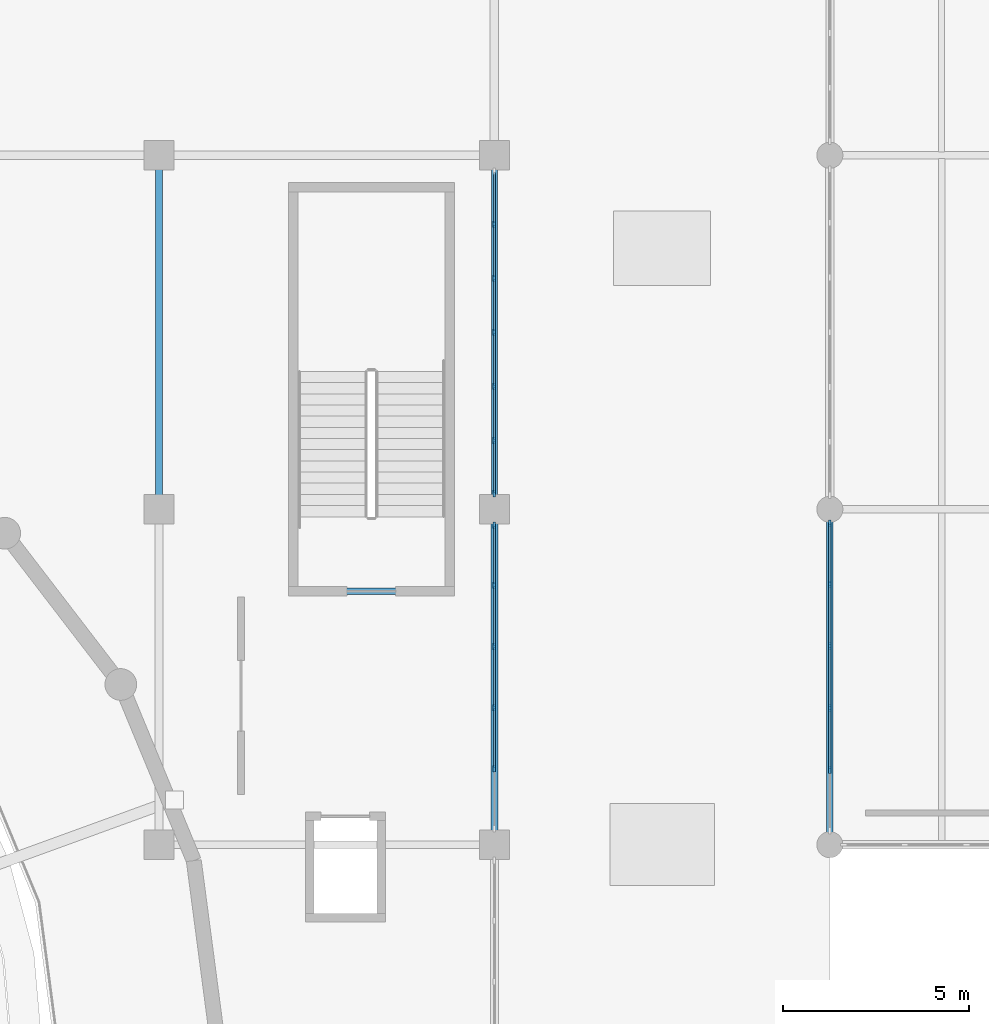
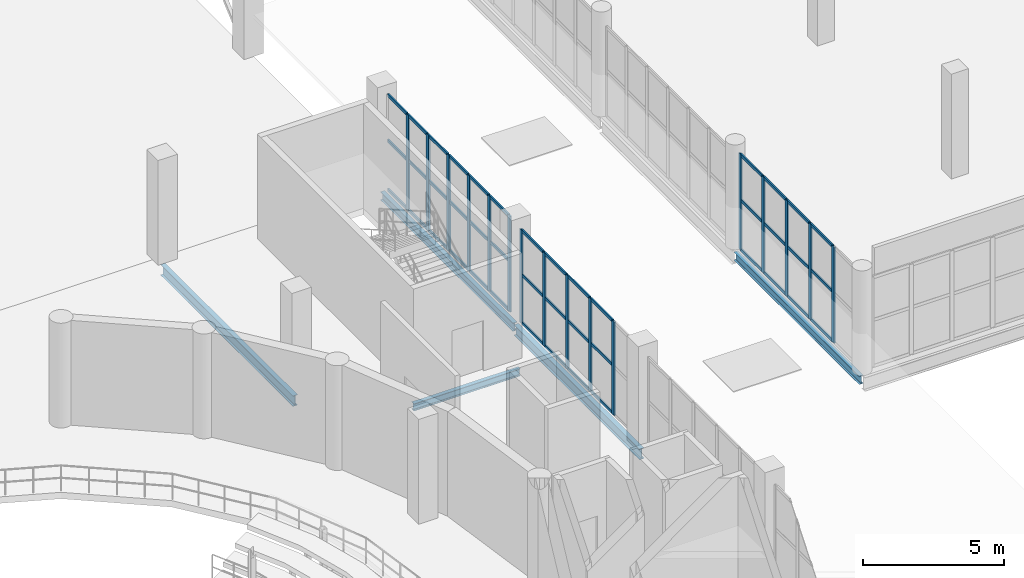
# One storey, part 45 of 93: 58 members, 5 beams, 3 elements without a shape of their own.
"""IFC4 building model written with IfcOpenShell, lengths in metres."""

from ifc_helpers import new_model, si_unit, direction, frame, origin, origin_2d, place, context, subcontext, project, spatial, rectangle, i_section, extrude, material, layer, layer_set, material_profile, profile_set, type_object, element, aggregate, save


model = new_model("IFC4")

# Units and contexts
model_context = context("Model", 3, precision=1e-05, world=origin(), true_north=direction((0.0, 1.0)))
body_context = subcontext(model_context, "Body", "Model", "MODEL_VIEW")
ifc_project = project(units=[si_unit("LENGTHUNIT", "METRE"), si_unit("AREAUNIT", "SQUARE_METRE"), si_unit("VOLUMEUNIT", "CUBIC_METRE"), si_unit("PLANEANGLEUNIT", "RADIAN"), si_unit("MASSUNIT", "GRAM", prefix="KILO")], contexts=[model_context])

# Site, building, storey
site_placement = place(None, origin())
site = spatial("IfcSite", under=ifc_project, at=site_placement, CompositionType="ELEMENT")
building_placement = place(site_placement, origin())
building = spatial("IfcBuilding", under=site, at=building_placement, Name="Marnock Terrace Opera House", CompositionType="ELEMENT")
storey_placement = place(building_placement, frame((0.0, 0.0, 5.39990234375)))
storey = spatial("IfcBuildingStorey", under=building, at=storey_placement, Name="L01", CompositionType="ELEMENT", Elevation=5.39990234375)

# Beams
ifc_material_1 = material(Name="Steel Grade 350 (AS/NZS 3679.1)", Category="steel")
ifc_material_profile_1 = material_profile(ifc_material_1, i_section(OverallWidth=0.1708984375, OverallDepth=0.355712890625, WebThickness=0.00732421875, FlangeThickness=0.011474609375, FilletRadius=0.011474609375, at=origin_2d()))
ifc_profile_set_1 = profile_set([ifc_material_profile_1], Name="Steel Grade 350 (AS/NZS 3679.1)")
beam_type_1 = type_object("IfcBeamType", Name="BM-GIRD-360", PredefinedType="BEAM", material=ifc_profile_set_1)
beam_1_placement = place(storey_placement, frame((109.0, 75.050048828125, -0.457763671875), z_axis=(0.0, 1.0, 0.0), x_axis=(-1.0, 0.0, 0.0)))
element("IfcBeam", 1, at=beam_1_placement, inside=storey, type_object=beam_type_1, Name="L01 girder (X=109.0, 75.0..84.5)", PredefinedType="BEAM", context=body_context, shape_type="SweptSolid", body=[
    extrude(i_section(OverallWidth=0.1708984375, OverallDepth=0.355712890625, WebThickness=0.00732421875, FlangeThickness=0.011474609375, FilletRadius=0.011474609375, at=origin_2d()), origin(), (0.0, 0.0, 1.0), 9.39990234375),
])
beam_2_placement = place(storey_placement, frame((118.0, 66.050048828125, -0.457763671875), z_axis=(0.0, 1.0, 0.0), x_axis=(-1.0, 0.0, 0.0)))
element("IfcBeam", 2, at=beam_2_placement, inside=storey, type_object=beam_type_1, Name="L01 girder (X=118.0, 66.0..75.0)", PredefinedType="BEAM", context=body_context, shape_type="SweptSolid", body=[
    extrude(i_section(OverallWidth=0.1708984375, OverallDepth=0.355712890625, WebThickness=0.00732421875, FlangeThickness=0.011474609375, FilletRadius=0.011474609375, at=origin_2d()), origin(), (0.0, 0.0, 1.0), 8.89990234375),
])
ifc_material_profile_2 = material_profile(ifc_material_1, i_section(OverallWidth=0.18994140625, OverallDepth=0.45751953125, WebThickness=0.009033203125, FlangeThickness=0.014404296875, FilletRadius=0.011474609375, at=origin_2d()))
ifc_profile_set_2 = profile_set([ifc_material_profile_2], Name="Steel Grade 350 (AS/NZS 3679.1)")
beam_type_2 = type_object("IfcBeamType", Name="BM-GIRD-460B", PredefinedType="BEAM", material=ifc_profile_set_2)
beam_3_placement = place(storey_placement, frame((100.0, 75.050048828125, -0.508544921875), z_axis=(0.0, 1.0, 0.0), x_axis=(-1.0, 0.0, 0.0)))
element("IfcBeam", 3, at=beam_3_placement, inside=storey, type_object=beam_type_2, Name="L01 girder (X=100.0, 75.0..84.5)", PredefinedType="BEAM", context=body_context, shape_type="SweptSolid", body=[
    extrude(i_section(OverallWidth=0.18994140625, OverallDepth=0.45751953125, WebThickness=0.009033203125, FlangeThickness=0.014404296875, FilletRadius=0.011474609375, at=origin_2d()), origin(), (0.0, 0.0, 1.0), 9.39990234375),
])
beam_4_placement = place(storey_placement, frame((109.0, 66.050048828125, -0.508544921875), z_axis=(0.0, 1.0, 0.0), x_axis=(-1.0, 0.0, 0.0)))
element("IfcBeam", 4, at=beam_4_placement, inside=storey, type_object=beam_type_2, Name="L01 girder (X=109.0, 66.0..75.0)", PredefinedType="BEAM", context=body_context, shape_type="SweptSolid", body=[
    extrude(i_section(OverallWidth=0.18994140625, OverallDepth=0.45751953125, WebThickness=0.009033203125, FlangeThickness=0.014404296875, FilletRadius=0.011474609375, at=origin_2d()), origin(), (0.0, 0.0, 1.0), 8.89990234375),
])
ifc_material_profile_3 = material_profile(ifc_material_1, i_section(OverallWidth=0.166015625, OverallDepth=0.30712890625, WebThickness=0.006591796875, FlangeThickness=0.01171875, FilletRadius=0.011474609375, at=origin_2d()))
ifc_profile_set_3 = profile_set([ifc_material_profile_3], Name="Steel Grade 350 (AS/NZS 3679.1)")
beam_type_3 = type_object("IfcBeamType", Name="BM-LINT-310", PredefinedType="LINTEL", material=ifc_profile_set_3)
beam_5_placement = place(storey_placement, frame((103.52001953125, 72.800048828125, -0.6298828125), z_axis=(1.0, 0.0, 0.0), x_axis=(0.0, 1.0, 0.0)))
element("IfcBeam", 5, at=beam_5_placement, inside=storey, type_object=beam_type_3, Name="L00 Core C4 coupling lintel", PredefinedType="LINTEL", context=body_context, shape_type="SweptSolid", body=[
    extrude(i_section(OverallWidth=0.166015625, OverallDepth=0.30712890625, WebThickness=0.006591796875, FlangeThickness=0.01171875, FilletRadius=0.011474609375, at=origin_2d()), origin(), (0.0, 0.0, 1.0), 4.35986328125),
])

# Curtain wall, members
ifc_material_2 = material(Name="Anodised architectural bronze aluminium framing", Category="aluminium")
ifc_layer_1 = layer(ifc_material_2, 0.159912109375)
ifc_layer_set_1 = layer_set([ifc_layer_1], Name="Anodised architectural bronze aluminium framing")
curtain_wall_type_1 = type_object("IfcCurtainWallType", Name="CW-FOYER-90x45", PredefinedType="NOTDEFINED", material=ifc_layer_set_1)
curtain_wall_1_placement = place(storey_placement, origin())
curtain_wall_1 = element("IfcCurtainWall", 6, at=curtain_wall_1_placement, inside=storey, type_object=curtain_wall_type_1, Name="L01 glazed Beaux-Arts colonnade curtain wall CW-V1E-L01-08", PredefinedType="NOTDEFINED")
ifc_material_profile_4 = material_profile(ifc_material_2, rectangle(XDim=0.06494140625, YDim=0.179931640625, at=origin_2d()))
ifc_profile_set_4 = profile_set([ifc_material_profile_4], Name="Anodised architectural bronze aluminium framing")
member_type_1 = type_object("IfcMemberType", Name="CWM-65x180", PredefinedType="MULLION", material=ifc_profile_set_4)
member_1_placement = place(storey_placement, frame((109.0, 68.03759765625, 0.0), z_axis=(0.0, 0.0, 1.0), x_axis=(-1.0, 0.0, 0.0)))
member_1 = element("IfcMember", 7, at=member_1_placement, type_object=member_type_1, Name="CW-27 mullion 2", PredefinedType="MULLION", context=body_context, shape_type="SweptSolid", body=[
    extrude(rectangle(XDim=0.06494140625, YDim=0.179931640625, at=origin_2d()), origin(), (0.0, 0.0, 1.0), 4.052734375),
])
member_2_placement = place(storey_placement, frame((109.0, 69.67919921875, 0.0), z_axis=(0.0, 0.0, 1.0), x_axis=(-1.0, 0.0, 0.0)))
member_2 = element("IfcMember", 8, at=member_2_placement, type_object=member_type_1, Name="CW-27 mullion 3", PredefinedType="MULLION", context=body_context, shape_type="SweptSolid", body=[
    extrude(rectangle(XDim=0.06494140625, YDim=0.179931640625, at=origin_2d()), origin(), (0.0, 0.0, 1.0), 4.052734375),
])
member_3_placement = place(storey_placement, frame((109.0, 71.32080078125, 0.0), z_axis=(0.0, 0.0, 1.0), x_axis=(-1.0, 0.0, 0.0)))
member_3 = element("IfcMember", 9, at=member_3_placement, type_object=member_type_1, Name="CW-27 mullion 4", PredefinedType="MULLION", context=body_context, shape_type="SweptSolid", body=[
    extrude(rectangle(XDim=0.06494140625, YDim=0.179931640625, at=origin_2d()), origin(), (0.0, 0.0, 1.0), 4.052734375),
])
member_4_placement = place(storey_placement, frame((109.0, 72.96240234375, 0.0), z_axis=(0.0, 0.0, 1.0), x_axis=(-1.0, 0.0, 0.0)))
member_4 = element("IfcMember", 10, at=member_4_placement, type_object=member_type_1, Name="CW-27 mullion 5", PredefinedType="MULLION", context=body_context, shape_type="SweptSolid", body=[
    extrude(rectangle(XDim=0.06494140625, YDim=0.179931640625, at=origin_2d()), origin(), (0.0, 0.0, 1.0), 4.052734375),
])
member_5_placement = place(storey_placement, frame((109.0, 74.573974609375, 0.0), z_axis=(0.0, 0.0, 1.0), x_axis=(-1.0, 0.0, 0.0)))
member_5 = element("IfcMember", 11, at=member_5_placement, type_object=member_type_1, Name="CW-27 mullion 6", PredefinedType="MULLION", context=body_context, shape_type="SweptSolid", body=[
    extrude(rectangle(XDim=0.06494140625, YDim=0.179931640625, at=origin_2d()), origin(), (0.0, 0.0, 1.0), 4.052734375),
])

curtain_wall_2_placement = place(storey_placement, origin())
curtain_wall_2 = element("IfcCurtainWall", 12, at=curtain_wall_2_placement, inside=storey, type_object=curtain_wall_type_1, Name="L01 glazed Beaux-Arts colonnade curtain wall CW-V1E-L01-09", PredefinedType="NOTDEFINED")
member_6_placement = place(storey_placement, frame((109.0, 75.426025390625, 0.0), z_axis=(0.0, 0.0, 1.0), x_axis=(-1.0, 0.0, 0.0)))
member_6 = element("IfcMember", 13, at=member_6_placement, type_object=member_type_1, Name="CW-27 mullion 1", PredefinedType="MULLION", context=body_context, shape_type="SweptSolid", body=[
    extrude(rectangle(XDim=0.06494140625, YDim=0.179931640625, at=origin_2d()), origin(), (0.0, 0.0, 1.0), 4.154541015625),
])
member_7_placement = place(storey_placement, frame((109.0, 76.847412109375, 0.0), z_axis=(0.0, 0.0, 1.0), x_axis=(-1.0, 0.0, 0.0)))
member_7 = element("IfcMember", 14, at=member_7_placement, type_object=member_type_1, Name="CW-27 mullion 2", PredefinedType="MULLION", context=body_context, shape_type="SweptSolid", body=[
    extrude(rectangle(XDim=0.06494140625, YDim=0.179931640625, at=origin_2d()), origin(), (0.0, 0.0, 1.0), 4.154541015625),
])
member_8_placement = place(storey_placement, frame((109.0, 78.298583984375, 0.0), z_axis=(0.0, 0.0, 1.0), x_axis=(-1.0, 0.0, 0.0)))
member_8 = element("IfcMember", 15, at=member_8_placement, type_object=member_type_1, Name="CW-27 mullion 3", PredefinedType="MULLION", context=body_context, shape_type="SweptSolid", body=[
    extrude(rectangle(XDim=0.06494140625, YDim=0.179931640625, at=origin_2d()), origin(), (0.0, 0.0, 1.0), 4.154541015625),
])
member_9_placement = place(storey_placement, frame((109.0, 79.75, 0.0), z_axis=(0.0, 0.0, 1.0), x_axis=(-1.0, 0.0, 0.0)))
member_9 = element("IfcMember", 16, at=member_9_placement, type_object=member_type_1, Name="CW-27 mullion 4", PredefinedType="MULLION", context=body_context, shape_type="SweptSolid", body=[
    extrude(rectangle(XDim=0.06494140625, YDim=0.179931640625, at=origin_2d()), origin(), (0.0, 0.0, 1.0), 4.154541015625),
])
member_10_placement = place(storey_placement, frame((109.0, 81.201416015625, 0.0), z_axis=(0.0, 0.0, 1.0), x_axis=(-1.0, 0.0, 0.0)))
member_10 = element("IfcMember", 17, at=member_10_placement, type_object=member_type_1, Name="CW-27 mullion 5", PredefinedType="MULLION", context=body_context, shape_type="SweptSolid", body=[
    extrude(rectangle(XDim=0.06494140625, YDim=0.179931640625, at=origin_2d()), origin(), (0.0, 0.0, 1.0), 4.154541015625),
])
member_11_placement = place(storey_placement, frame((109.0, 82.652587890625, 0.0), z_axis=(0.0, 0.0, 1.0), x_axis=(-1.0, 0.0, 0.0)))
member_11 = element("IfcMember", 18, at=member_11_placement, type_object=member_type_1, Name="CW-27 mullion 6", PredefinedType="MULLION", context=body_context, shape_type="SweptSolid", body=[
    extrude(rectangle(XDim=0.06494140625, YDim=0.179931640625, at=origin_2d()), origin(), (0.0, 0.0, 1.0), 4.154541015625),
])

ifc_layer_2 = layer(ifc_material_2, 0.159912109375)
ifc_layer_set_2 = layer_set([ifc_layer_2], Name="Anodised architectural bronze aluminium framing")
curtain_wall_type_2 = type_object("IfcCurtainWallType", Name="CW-LOGGIA-86x45", PredefinedType="NOTDEFINED", material=ifc_layer_set_2)
curtain_wall_3_placement = place(storey_placement, origin())
curtain_wall_3 = element("IfcCurtainWall", 19, at=curtain_wall_3_placement, inside=storey, type_object=curtain_wall_type_2, Name="L01 glazed Beaux-Arts colonnade curtain wall CW-V5-L01-W5", PredefinedType="NOTDEFINED")
member_12_placement = place(storey_placement, frame((118.0, 68.007568359375, 0.0), z_axis=(0.0, 0.0, 1.0), x_axis=(-1.0, 0.0, 0.0)))
member_12 = element("IfcMember", 20, at=member_12_placement, type_object=member_type_1, Name="CW-61 mullion 2", PredefinedType="MULLION", context=body_context, shape_type="SweptSolid", body=[
    extrude(rectangle(XDim=0.06494140625, YDim=0.179931640625, at=origin_2d()), origin(), (0.0, 0.0, 1.0), 4.154541015625),
])
member_13_placement = place(storey_placement, frame((118.0, 69.669189453125, 0.0), z_axis=(0.0, 0.0, 1.0), x_axis=(-1.0, 0.0, 0.0)))
member_13 = element("IfcMember", 21, at=member_13_placement, type_object=member_type_1, Name="CW-61 mullion 3", PredefinedType="MULLION", context=body_context, shape_type="SweptSolid", body=[
    extrude(rectangle(XDim=0.06494140625, YDim=0.179931640625, at=origin_2d()), origin(), (0.0, 0.0, 1.0), 4.154541015625),
])
member_14_placement = place(storey_placement, frame((118.0, 71.330810546875, 0.0), z_axis=(0.0, 0.0, 1.0), x_axis=(-1.0, 0.0, 0.0)))
member_14 = element("IfcMember", 22, at=member_14_placement, type_object=member_type_1, Name="CW-61 mullion 4", PredefinedType="MULLION", context=body_context, shape_type="SweptSolid", body=[
    extrude(rectangle(XDim=0.06494140625, YDim=0.179931640625, at=origin_2d()), origin(), (0.0, 0.0, 1.0), 4.154541015625),
])
member_15_placement = place(storey_placement, frame((118.0, 72.992431640625, 0.0), z_axis=(0.0, 0.0, 1.0), x_axis=(-1.0, 0.0, 0.0)))
member_15 = element("IfcMember", 23, at=member_15_placement, type_object=member_type_1, Name="CW-61 mullion 5", PredefinedType="MULLION", context=body_context, shape_type="SweptSolid", body=[
    extrude(rectangle(XDim=0.06494140625, YDim=0.179931640625, at=origin_2d()), origin(), (0.0, 0.0, 1.0), 4.154541015625),
])
member_16_placement = place(storey_placement, frame((118.0, 74.6240234375, 0.0), z_axis=(0.0, 0.0, 1.0), x_axis=(-1.0, 0.0, 0.0)))
member_16 = element("IfcMember", 24, at=member_16_placement, type_object=member_type_1, Name="CW-61 mullion 6", PredefinedType="MULLION", context=body_context, shape_type="SweptSolid", body=[
    extrude(rectangle(XDim=0.06494140625, YDim=0.179931640625, at=origin_2d()), origin(), (0.0, 0.0, 1.0), 4.154541015625),
])

# Member
ifc_material_profile_5 = material_profile(ifc_material_2, rectangle(XDim=0.06005859375, YDim=0.1298828125, at=origin_2d()))
ifc_profile_set_5 = profile_set([ifc_material_profile_5], Name="Anodised architectural bronze aluminium framing")
member_type_2 = type_object("IfcMemberType", Name="CWT-60x130", PredefinedType="USERDEFINED", material=ifc_profile_set_5)
member_17_placement = place(storey_placement, frame((109.0, 68.067626953125, 0.030029296875), z_axis=(0.0, 1.0, 0.0), x_axis=(-1.0, 0.0, 0.0)))
member_17 = element("IfcMember", 25, at=member_17_placement, type_object=member_type_2, Name="CW-27 transom 2.1", ObjectType="TRANSOM", PredefinedType="USERDEFINED", context=body_context, shape_type="SweptSolid", body=[
    extrude(rectangle(XDim=0.06005859375, YDim=0.1298828125, at=origin_2d()), origin(), (0.0, 0.0, 1.0), 1.58154296875),
])

member_18_placement = place(storey_placement, frame((109.0, 68.067626953125, 2.107421875), z_axis=(0.0, 1.0, 0.0), x_axis=(-1.0, 0.0, 0.0)))
member_18 = element("IfcMember", 26, at=member_18_placement, type_object=member_type_2, Name="CW-27 transom 2.2", ObjectType="TRANSOM", PredefinedType="USERDEFINED", context=body_context, shape_type="SweptSolid", body=[
    extrude(rectangle(XDim=0.06005859375, YDim=0.1298828125, at=origin_2d()), origin(), (0.0, 0.0, 1.0), 1.58154296875),
])

member_19_placement = place(storey_placement, frame((109.0, 68.067626953125, 4.022705078125), z_axis=(0.0, 1.0, 0.0), x_axis=(-1.0, 0.0, 0.0)))
member_19 = element("IfcMember", 27, at=member_19_placement, type_object=member_type_2, Name="CW-27 transom 2.3", ObjectType="TRANSOM", PredefinedType="USERDEFINED", context=body_context, shape_type="SweptSolid", body=[
    extrude(rectangle(XDim=0.06005859375, YDim=0.1298828125, at=origin_2d()), origin(), (0.0, 0.0, 1.0), 1.58154296875),
])

member_20_placement = place(storey_placement, frame((109.0, 69.709228515625, 0.030029296875), z_axis=(0.0, 1.0, 0.0), x_axis=(-1.0, 0.0, 0.0)))
member_20 = element("IfcMember", 28, at=member_20_placement, type_object=member_type_2, Name="CW-27 transom 3.1", ObjectType="TRANSOM", PredefinedType="USERDEFINED", context=body_context, shape_type="SweptSolid", body=[
    extrude(rectangle(XDim=0.06005859375, YDim=0.1298828125, at=origin_2d()), origin(), (0.0, 0.0, 1.0), 1.58154296875),
])

member_21_placement = place(storey_placement, frame((109.0, 69.709228515625, 2.107421875), z_axis=(0.0, 1.0, 0.0), x_axis=(-1.0, 0.0, 0.0)))
member_21 = element("IfcMember", 29, at=member_21_placement, type_object=member_type_2, Name="CW-27 transom 3.2", ObjectType="TRANSOM", PredefinedType="USERDEFINED", context=body_context, shape_type="SweptSolid", body=[
    extrude(rectangle(XDim=0.06005859375, YDim=0.1298828125, at=origin_2d()), origin(), (0.0, 0.0, 1.0), 1.58154296875),
])

member_22_placement = place(storey_placement, frame((109.0, 69.709228515625, 4.022705078125), z_axis=(0.0, 1.0, 0.0), x_axis=(-1.0, 0.0, 0.0)))
member_22 = element("IfcMember", 30, at=member_22_placement, type_object=member_type_2, Name="CW-27 transom 3.3", ObjectType="TRANSOM", PredefinedType="USERDEFINED", context=body_context, shape_type="SweptSolid", body=[
    extrude(rectangle(XDim=0.06005859375, YDim=0.1298828125, at=origin_2d()), origin(), (0.0, 0.0, 1.0), 1.58154296875),
])

member_23_placement = place(storey_placement, frame((109.0, 71.350830078125, 0.030029296875), z_axis=(0.0, 1.0, 0.0), x_axis=(-1.0, 0.0, 0.0)))
member_23 = element("IfcMember", 31, at=member_23_placement, type_object=member_type_2, Name="CW-27 transom 4.1", ObjectType="TRANSOM", PredefinedType="USERDEFINED", context=body_context, shape_type="SweptSolid", body=[
    extrude(rectangle(XDim=0.06005859375, YDim=0.1298828125, at=origin_2d()), origin(), (0.0, 0.0, 1.0), 1.58154296875),
])

member_24_placement = place(storey_placement, frame((109.0, 71.350830078125, 2.107421875), z_axis=(0.0, 1.0, 0.0), x_axis=(-1.0, 0.0, 0.0)))
member_24 = element("IfcMember", 32, at=member_24_placement, type_object=member_type_2, Name="CW-27 transom 4.2", ObjectType="TRANSOM", PredefinedType="USERDEFINED", context=body_context, shape_type="SweptSolid", body=[
    extrude(rectangle(XDim=0.06005859375, YDim=0.1298828125, at=origin_2d()), origin(), (0.0, 0.0, 1.0), 1.58154296875),
])

member_25_placement = place(storey_placement, frame((109.0, 71.350830078125, 4.022705078125), z_axis=(0.0, 1.0, 0.0), x_axis=(-1.0, 0.0, 0.0)))
member_25 = element("IfcMember", 33, at=member_25_placement, type_object=member_type_2, Name="CW-27 transom 4.3", ObjectType="TRANSOM", PredefinedType="USERDEFINED", context=body_context, shape_type="SweptSolid", body=[
    extrude(rectangle(XDim=0.06005859375, YDim=0.1298828125, at=origin_2d()), origin(), (0.0, 0.0, 1.0), 1.58154296875),
])

member_26_placement = place(storey_placement, frame((109.0, 72.992431640625, 0.030029296875), z_axis=(0.0, 1.0, 0.0), x_axis=(-1.0, 0.0, 0.0)))
member_26 = element("IfcMember", 34, at=member_26_placement, type_object=member_type_2, Name="CW-27 transom 5.1", ObjectType="TRANSOM", PredefinedType="USERDEFINED", context=body_context, shape_type="SweptSolid", body=[
    extrude(rectangle(XDim=0.06005859375, YDim=0.1298828125, at=origin_2d()), origin(), (0.0, 0.0, 1.0), 1.551513671875),
])

member_27_placement = place(storey_placement, frame((109.0, 72.992431640625, 2.107421875), z_axis=(0.0, 1.0, 0.0), x_axis=(-1.0, 0.0, 0.0)))
member_27 = element("IfcMember", 35, at=member_27_placement, type_object=member_type_2, Name="CW-27 transom 5.2", ObjectType="TRANSOM", PredefinedType="USERDEFINED", context=body_context, shape_type="SweptSolid", body=[
    extrude(rectangle(XDim=0.06005859375, YDim=0.1298828125, at=origin_2d()), origin(), (0.0, 0.0, 1.0), 1.551513671875),
])

member_28_placement = place(storey_placement, frame((109.0, 72.992431640625, 4.022705078125), z_axis=(0.0, 1.0, 0.0), x_axis=(-1.0, 0.0, 0.0)))
member_28 = element("IfcMember", 36, at=member_28_placement, type_object=member_type_2, Name="CW-27 transom 5.3", ObjectType="TRANSOM", PredefinedType="USERDEFINED", context=body_context, shape_type="SweptSolid", body=[
    extrude(rectangle(XDim=0.06005859375, YDim=0.1298828125, at=origin_2d()), origin(), (0.0, 0.0, 1.0), 1.551513671875),
])

aggregate(curtain_wall_1, [member_1, member_2, member_3, member_4, member_5, member_17, member_18, member_19, member_20, member_21, member_22, member_23, member_24, member_25, member_26, member_27, member_28])

member_29_placement = place(storey_placement, frame((109.0, 75.4560546875, 0.030029296875), z_axis=(0.0, 1.0, 0.0), x_axis=(-1.0, 0.0, 0.0)))
member_29 = element("IfcMember", 37, at=member_29_placement, type_object=member_type_2, Name="CW-27 transom 1.1", ObjectType="TRANSOM", PredefinedType="USERDEFINED", context=body_context, shape_type="SweptSolid", body=[
    extrude(rectangle(XDim=0.06005859375, YDim=0.1298828125, at=origin_2d()), origin(), (0.0, 0.0, 1.0), 1.361328125),
])

member_30_placement = place(storey_placement, frame((109.0, 75.4560546875, 2.160400390625), z_axis=(0.0, 1.0, 0.0), x_axis=(-1.0, 0.0, 0.0)))
member_30 = element("IfcMember", 38, at=member_30_placement, type_object=member_type_2, Name="CW-27 transom 1.2", ObjectType="TRANSOM", PredefinedType="USERDEFINED", context=body_context, shape_type="SweptSolid", body=[
    extrude(rectangle(XDim=0.06005859375, YDim=0.1298828125, at=origin_2d()), origin(), (0.0, 0.0, 1.0), 1.361328125),
])

member_31_placement = place(storey_placement, frame((109.0, 75.4560546875, 4.12451171875), z_axis=(0.0, 1.0, 0.0), x_axis=(-1.0, 0.0, 0.0)))
member_31 = element("IfcMember", 39, at=member_31_placement, type_object=member_type_2, Name="CW-27 transom 1.3", ObjectType="TRANSOM", PredefinedType="USERDEFINED", context=body_context, shape_type="SweptSolid", body=[
    extrude(rectangle(XDim=0.06005859375, YDim=0.1298828125, at=origin_2d()), origin(), (0.0, 0.0, 1.0), 1.361328125),
])

member_32_placement = place(storey_placement, frame((109.0, 76.87744140625, 0.030029296875), z_axis=(0.0, 1.0, 0.0), x_axis=(-1.0, 0.0, 0.0)))
member_32 = element("IfcMember", 40, at=member_32_placement, type_object=member_type_2, Name="CW-27 transom 2.1", ObjectType="TRANSOM", PredefinedType="USERDEFINED", context=body_context, shape_type="SweptSolid", body=[
    extrude(rectangle(XDim=0.06005859375, YDim=0.1298828125, at=origin_2d()), origin(), (0.0, 0.0, 1.0), 1.39111328125),
])

member_33_placement = place(storey_placement, frame((109.0, 76.87744140625, 2.160400390625), z_axis=(0.0, 1.0, 0.0), x_axis=(-1.0, 0.0, 0.0)))
member_33 = element("IfcMember", 41, at=member_33_placement, type_object=member_type_2, Name="CW-27 transom 2.2", ObjectType="TRANSOM", PredefinedType="USERDEFINED", context=body_context, shape_type="SweptSolid", body=[
    extrude(rectangle(XDim=0.06005859375, YDim=0.1298828125, at=origin_2d()), origin(), (0.0, 0.0, 1.0), 1.39111328125),
])

member_34_placement = place(storey_placement, frame((109.0, 76.87744140625, 4.12451171875), z_axis=(0.0, 1.0, 0.0), x_axis=(-1.0, 0.0, 0.0)))
member_34 = element("IfcMember", 42, at=member_34_placement, type_object=member_type_2, Name="CW-27 transom 2.3", ObjectType="TRANSOM", PredefinedType="USERDEFINED", context=body_context, shape_type="SweptSolid", body=[
    extrude(rectangle(XDim=0.06005859375, YDim=0.1298828125, at=origin_2d()), origin(), (0.0, 0.0, 1.0), 1.39111328125),
])

member_35_placement = place(storey_placement, frame((109.0, 78.32861328125, 0.030029296875), z_axis=(0.0, 1.0, 0.0), x_axis=(-1.0, 0.0, 0.0)))
member_35 = element("IfcMember", 43, at=member_35_placement, type_object=member_type_2, Name="CW-27 transom 3.1", ObjectType="TRANSOM", PredefinedType="USERDEFINED", context=body_context, shape_type="SweptSolid", body=[
    extrude(rectangle(XDim=0.06005859375, YDim=0.1298828125, at=origin_2d()), origin(), (0.0, 0.0, 1.0), 1.391357421875),
])

member_36_placement = place(storey_placement, frame((109.0, 78.32861328125, 2.160400390625), z_axis=(0.0, 1.0, 0.0), x_axis=(-1.0, 0.0, 0.0)))
member_36 = element("IfcMember", 44, at=member_36_placement, type_object=member_type_2, Name="CW-27 transom 3.2", ObjectType="TRANSOM", PredefinedType="USERDEFINED", context=body_context, shape_type="SweptSolid", body=[
    extrude(rectangle(XDim=0.06005859375, YDim=0.1298828125, at=origin_2d()), origin(), (0.0, 0.0, 1.0), 1.391357421875),
])

member_37_placement = place(storey_placement, frame((109.0, 78.32861328125, 4.12451171875), z_axis=(0.0, 1.0, 0.0), x_axis=(-1.0, 0.0, 0.0)))
member_37 = element("IfcMember", 45, at=member_37_placement, type_object=member_type_2, Name="CW-27 transom 3.3", ObjectType="TRANSOM", PredefinedType="USERDEFINED", context=body_context, shape_type="SweptSolid", body=[
    extrude(rectangle(XDim=0.06005859375, YDim=0.1298828125, at=origin_2d()), origin(), (0.0, 0.0, 1.0), 1.391357421875),
])

member_38_placement = place(storey_placement, frame((109.0, 79.780029296875, 0.030029296875), z_axis=(0.0, 1.0, 0.0), x_axis=(-1.0, 0.0, 0.0)))
member_38 = element("IfcMember", 46, at=member_38_placement, type_object=member_type_2, Name="CW-27 transom 4.1", ObjectType="TRANSOM", PredefinedType="USERDEFINED", context=body_context, shape_type="SweptSolid", body=[
    extrude(rectangle(XDim=0.06005859375, YDim=0.1298828125, at=origin_2d()), origin(), (0.0, 0.0, 1.0), 1.391357421875),
])

member_39_placement = place(storey_placement, frame((109.0, 79.780029296875, 2.160400390625), z_axis=(0.0, 1.0, 0.0), x_axis=(-1.0, 0.0, 0.0)))
member_39 = element("IfcMember", 47, at=member_39_placement, type_object=member_type_2, Name="CW-27 transom 4.2", ObjectType="TRANSOM", PredefinedType="USERDEFINED", context=body_context, shape_type="SweptSolid", body=[
    extrude(rectangle(XDim=0.06005859375, YDim=0.1298828125, at=origin_2d()), origin(), (0.0, 0.0, 1.0), 1.391357421875),
])

member_40_placement = place(storey_placement, frame((109.0, 79.780029296875, 4.12451171875), z_axis=(0.0, 1.0, 0.0), x_axis=(-1.0, 0.0, 0.0)))
member_40 = element("IfcMember", 48, at=member_40_placement, type_object=member_type_2, Name="CW-27 transom 4.3", ObjectType="TRANSOM", PredefinedType="USERDEFINED", context=body_context, shape_type="SweptSolid", body=[
    extrude(rectangle(XDim=0.06005859375, YDim=0.1298828125, at=origin_2d()), origin(), (0.0, 0.0, 1.0), 1.391357421875),
])

member_41_placement = place(storey_placement, frame((109.0, 81.2314453125, 0.030029296875), z_axis=(0.0, 1.0, 0.0), x_axis=(-1.0, 0.0, 0.0)))
member_41 = element("IfcMember", 49, at=member_41_placement, type_object=member_type_2, Name="CW-27 transom 5.1", ObjectType="TRANSOM", PredefinedType="USERDEFINED", context=body_context, shape_type="SweptSolid", body=[
    extrude(rectangle(XDim=0.06005859375, YDim=0.1298828125, at=origin_2d()), origin(), (0.0, 0.0, 1.0), 1.39111328125),
])

member_42_placement = place(storey_placement, frame((109.0, 81.2314453125, 2.160400390625), z_axis=(0.0, 1.0, 0.0), x_axis=(-1.0, 0.0, 0.0)))
member_42 = element("IfcMember", 50, at=member_42_placement, type_object=member_type_2, Name="CW-27 transom 5.2", ObjectType="TRANSOM", PredefinedType="USERDEFINED", context=body_context, shape_type="SweptSolid", body=[
    extrude(rectangle(XDim=0.06005859375, YDim=0.1298828125, at=origin_2d()), origin(), (0.0, 0.0, 1.0), 1.39111328125),
])

member_43_placement = place(storey_placement, frame((109.0, 81.2314453125, 4.12451171875), z_axis=(0.0, 1.0, 0.0), x_axis=(-1.0, 0.0, 0.0)))
member_43 = element("IfcMember", 51, at=member_43_placement, type_object=member_type_2, Name="CW-27 transom 5.3", ObjectType="TRANSOM", PredefinedType="USERDEFINED", context=body_context, shape_type="SweptSolid", body=[
    extrude(rectangle(XDim=0.06005859375, YDim=0.1298828125, at=origin_2d()), origin(), (0.0, 0.0, 1.0), 1.39111328125),
])

member_44_placement = place(storey_placement, frame((109.0, 82.6826171875, 0.030029296875), z_axis=(0.0, 1.0, 0.0), x_axis=(-1.0, 0.0, 0.0)))
member_44 = element("IfcMember", 52, at=member_44_placement, type_object=member_type_2, Name="CW-27 transom 6.1", ObjectType="TRANSOM", PredefinedType="USERDEFINED", context=body_context, shape_type="SweptSolid", body=[
    extrude(rectangle(XDim=0.06005859375, YDim=0.1298828125, at=origin_2d()), origin(), (0.0, 0.0, 1.0), 1.361328125),
])

member_45_placement = place(storey_placement, frame((109.0, 82.6826171875, 2.160400390625), z_axis=(0.0, 1.0, 0.0), x_axis=(-1.0, 0.0, 0.0)))
member_45 = element("IfcMember", 53, at=member_45_placement, type_object=member_type_2, Name="CW-27 transom 6.2", ObjectType="TRANSOM", PredefinedType="USERDEFINED", context=body_context, shape_type="SweptSolid", body=[
    extrude(rectangle(XDim=0.06005859375, YDim=0.1298828125, at=origin_2d()), origin(), (0.0, 0.0, 1.0), 1.361328125),
])

member_46_placement = place(storey_placement, frame((109.0, 82.6826171875, 4.12451171875), z_axis=(0.0, 1.0, 0.0), x_axis=(-1.0, 0.0, 0.0)))
member_46 = element("IfcMember", 54, at=member_46_placement, type_object=member_type_2, Name="CW-27 transom 6.3", ObjectType="TRANSOM", PredefinedType="USERDEFINED", context=body_context, shape_type="SweptSolid", body=[
    extrude(rectangle(XDim=0.06005859375, YDim=0.1298828125, at=origin_2d()), origin(), (0.0, 0.0, 1.0), 1.361328125),
])

aggregate(curtain_wall_2, [member_6, member_7, member_8, member_9, member_10, member_11, member_29, member_30, member_31, member_32, member_33, member_34, member_35, member_36, member_37, member_38, member_39, member_40, member_41, member_42, member_43, member_44, member_45, member_46])

member_47_placement = place(storey_placement, frame((118.0, 68.03759765625, 0.030029296875), z_axis=(0.0, 1.0, 0.0), x_axis=(-1.0, 0.0, 0.0)))
member_47 = element("IfcMember", 55, at=member_47_placement, type_object=member_type_2, Name="CW-61 transom 2.1", ObjectType="TRANSOM", PredefinedType="USERDEFINED", context=body_context, shape_type="SweptSolid", body=[
    extrude(rectangle(XDim=0.06005859375, YDim=0.1298828125, at=origin_2d()), origin(), (0.0, 0.0, 1.0), 1.6015625),
])

member_48_placement = place(storey_placement, frame((118.0, 68.03759765625, 2.160400390625), z_axis=(0.0, 1.0, 0.0), x_axis=(-1.0, 0.0, 0.0)))
member_48 = element("IfcMember", 56, at=member_48_placement, type_object=member_type_2, Name="CW-61 transom 2.2", ObjectType="TRANSOM", PredefinedType="USERDEFINED", context=body_context, shape_type="SweptSolid", body=[
    extrude(rectangle(XDim=0.06005859375, YDim=0.1298828125, at=origin_2d()), origin(), (0.0, 0.0, 1.0), 1.6015625),
])

member_49_placement = place(storey_placement, frame((118.0, 68.03759765625, 4.12451171875), z_axis=(0.0, 1.0, 0.0), x_axis=(-1.0, 0.0, 0.0)))
member_49 = element("IfcMember", 57, at=member_49_placement, type_object=member_type_2, Name="CW-61 transom 2.3", ObjectType="TRANSOM", PredefinedType="USERDEFINED", context=body_context, shape_type="SweptSolid", body=[
    extrude(rectangle(XDim=0.06005859375, YDim=0.1298828125, at=origin_2d()), origin(), (0.0, 0.0, 1.0), 1.6015625),
])

member_50_placement = place(storey_placement, frame((118.0, 69.69921875, 0.030029296875), z_axis=(0.0, 1.0, 0.0), x_axis=(-1.0, 0.0, 0.0)))
member_50 = element("IfcMember", 58, at=member_50_placement, type_object=member_type_2, Name="CW-61 transom 3.1", ObjectType="TRANSOM", PredefinedType="USERDEFINED", context=body_context, shape_type="SweptSolid", body=[
    extrude(rectangle(XDim=0.06005859375, YDim=0.1298828125, at=origin_2d()), origin(), (0.0, 0.0, 1.0), 1.6015625),
])

member_51_placement = place(storey_placement, frame((118.0, 69.69921875, 2.160400390625), z_axis=(0.0, 1.0, 0.0), x_axis=(-1.0, 0.0, 0.0)))
member_51 = element("IfcMember", 59, at=member_51_placement, type_object=member_type_2, Name="CW-61 transom 3.2", ObjectType="TRANSOM", PredefinedType="USERDEFINED", context=body_context, shape_type="SweptSolid", body=[
    extrude(rectangle(XDim=0.06005859375, YDim=0.1298828125, at=origin_2d()), origin(), (0.0, 0.0, 1.0), 1.6015625),
])

member_52_placement = place(storey_placement, frame((118.0, 69.69921875, 4.12451171875), z_axis=(0.0, 1.0, 0.0), x_axis=(-1.0, 0.0, 0.0)))
member_52 = element("IfcMember", 60, at=member_52_placement, type_object=member_type_2, Name="CW-61 transom 3.3", ObjectType="TRANSOM", PredefinedType="USERDEFINED", context=body_context, shape_type="SweptSolid", body=[
    extrude(rectangle(XDim=0.06005859375, YDim=0.1298828125, at=origin_2d()), origin(), (0.0, 0.0, 1.0), 1.6015625),
])

member_53_placement = place(storey_placement, frame((118.0, 71.36083984375, 0.030029296875), z_axis=(0.0, 1.0, 0.0), x_axis=(-1.0, 0.0, 0.0)))
member_53 = element("IfcMember", 61, at=member_53_placement, type_object=member_type_2, Name="CW-61 transom 4.1", ObjectType="TRANSOM", PredefinedType="USERDEFINED", context=body_context, shape_type="SweptSolid", body=[
    extrude(rectangle(XDim=0.06005859375, YDim=0.1298828125, at=origin_2d()), origin(), (0.0, 0.0, 1.0), 1.6015625),
])

member_54_placement = place(storey_placement, frame((118.0, 71.36083984375, 2.160400390625), z_axis=(0.0, 1.0, 0.0), x_axis=(-1.0, 0.0, 0.0)))
member_54 = element("IfcMember", 62, at=member_54_placement, type_object=member_type_2, Name="CW-61 transom 4.2", ObjectType="TRANSOM", PredefinedType="USERDEFINED", context=body_context, shape_type="SweptSolid", body=[
    extrude(rectangle(XDim=0.06005859375, YDim=0.1298828125, at=origin_2d()), origin(), (0.0, 0.0, 1.0), 1.6015625),
])

member_55_placement = place(storey_placement, frame((118.0, 71.36083984375, 4.12451171875), z_axis=(0.0, 1.0, 0.0), x_axis=(-1.0, 0.0, 0.0)))
member_55 = element("IfcMember", 63, at=member_55_placement, type_object=member_type_2, Name="CW-61 transom 4.3", ObjectType="TRANSOM", PredefinedType="USERDEFINED", context=body_context, shape_type="SweptSolid", body=[
    extrude(rectangle(XDim=0.06005859375, YDim=0.1298828125, at=origin_2d()), origin(), (0.0, 0.0, 1.0), 1.6015625),
])

member_56_placement = place(storey_placement, frame((118.0, 73.0224609375, 0.030029296875), z_axis=(0.0, 1.0, 0.0), x_axis=(-1.0, 0.0, 0.0)))
member_56 = element("IfcMember", 64, at=member_56_placement, type_object=member_type_2, Name="CW-61 transom 5.1", ObjectType="TRANSOM", PredefinedType="USERDEFINED", context=body_context, shape_type="SweptSolid", body=[
    extrude(rectangle(XDim=0.06005859375, YDim=0.1298828125, at=origin_2d()), origin(), (0.0, 0.0, 1.0), 1.571533203125),
])

member_57_placement = place(storey_placement, frame((118.0, 73.0224609375, 2.160400390625), z_axis=(0.0, 1.0, 0.0), x_axis=(-1.0, 0.0, 0.0)))
member_57 = element("IfcMember", 65, at=member_57_placement, type_object=member_type_2, Name="CW-61 transom 5.2", ObjectType="TRANSOM", PredefinedType="USERDEFINED", context=body_context, shape_type="SweptSolid", body=[
    extrude(rectangle(XDim=0.06005859375, YDim=0.1298828125, at=origin_2d()), origin(), (0.0, 0.0, 1.0), 1.571533203125),
])

member_58_placement = place(storey_placement, frame((118.0, 73.0224609375, 4.12451171875), z_axis=(0.0, 1.0, 0.0), x_axis=(-1.0, 0.0, 0.0)))
member_58 = element("IfcMember", 66, at=member_58_placement, type_object=member_type_2, Name="CW-61 transom 5.3", ObjectType="TRANSOM", PredefinedType="USERDEFINED", context=body_context, shape_type="SweptSolid", body=[
    extrude(rectangle(XDim=0.06005859375, YDim=0.1298828125, at=origin_2d()), origin(), (0.0, 0.0, 1.0), 1.571533203125),
])

aggregate(curtain_wall_3, [member_12, member_13, member_14, member_15, member_16, member_47, member_48, member_49, member_50, member_51, member_52, member_53, member_54, member_55, member_56, member_57, member_58])

save(model, "model.ifc")
